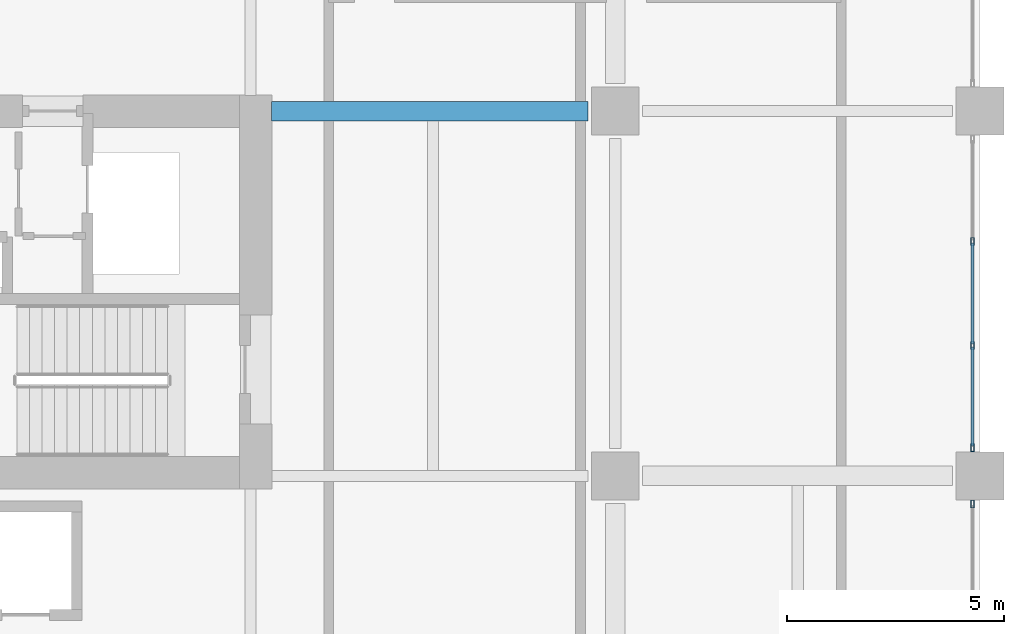
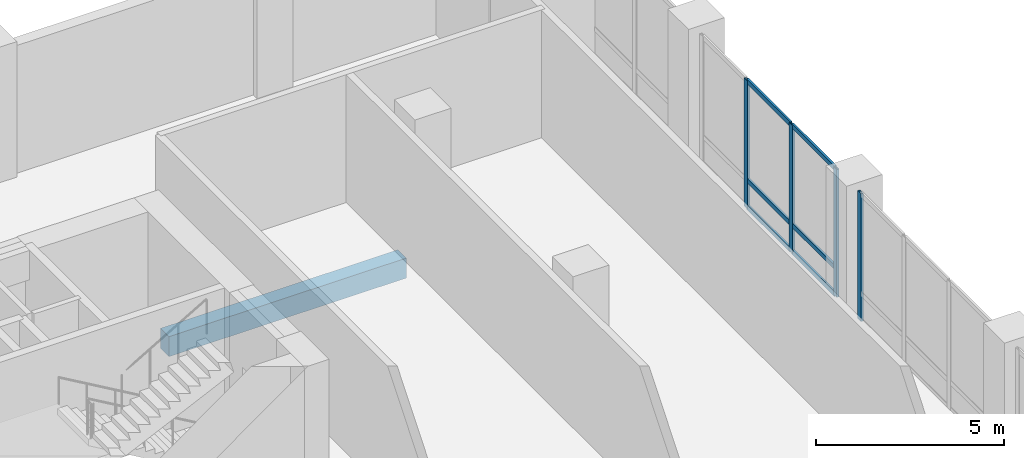
# One storey, part 6 of 22: 10 members, 1 beam, 2 elements without a shape of their own.
"""IFC4 building model written with IfcOpenShell, lengths in metres."""

from ifc_helpers import new_model, si_unit, direction, frame, origin, origin_2d, place, context, subcontext, project, spatial, rectangle, hollow_rectangle, extrude, material, layer, layer_set, material_profile, profile_set, type_object, element, aggregate, save


model = new_model("IFC4")

# Units and contexts
model_context = context("Model", 3, precision=1e-05, world=origin(), true_north=direction((0.0, 1.0)))
body_context = subcontext(model_context, "Body", "Model", "MODEL_VIEW")
ifc_project = project(units=[si_unit("LENGTHUNIT", "METRE"), si_unit("AREAUNIT", "SQUARE_METRE"), si_unit("VOLUMEUNIT", "CUBIC_METRE"), si_unit("PLANEANGLEUNIT", "RADIAN"), si_unit("MASSUNIT", "GRAM", prefix="KILO")], contexts=[model_context])

# Site, building, storey
site_placement = place(None, origin())
site = spatial("IfcSite", under=ifc_project, at=site_placement, CompositionType="ELEMENT")
building_placement = place(site_placement, origin())
building = spatial("IfcBuilding", under=site, at=building_placement, Name="Koriwani Terraces Tower", CompositionType="ELEMENT")
storey_placement = place(building_placement, frame((0.0, 0.0, 153.199951171875)))
storey = spatial("IfcBuildingStorey", under=building, at=storey_placement, Name="L37", CompositionType="ELEMENT", Elevation=153.199951171875)

# Beam
ifc_material_1 = material(Name="Concrete C50/60", Category="concrete")
ifc_material_profile_1 = material_profile(ifc_material_1, rectangle(XDim=0.449951171875, YDim=0.64990234375, at=origin_2d()), Name="Concrete C50/60", Category="LoadBearing")
ifc_profile_set_1 = profile_set([ifc_material_profile_1], Name="Concrete C50/60")
beam_type = type_object("IfcBeamType", Name="BEAM_RC_GRID_450X650", PredefinedType="BEAM", material=ifc_profile_set_1)
beam_placement = place(storey_placement, frame((59.280029296875, 25.199951171875, -0.574951171875), z_axis=(1.0, 0.0, 0.0), x_axis=(0.0, 1.0, 0.0)))
element("IfcBeam", 1, at=beam_placement, inside=storey, type_object=beam_type, Name="L37 Grid Beam D (58.8-67.2m)", PredefinedType="BEAM", context=body_context, shape_type="SweptSolid", body=[
    extrude(rectangle(XDim=0.449951171875, YDim=0.64990234375, at=origin_2d()), origin(), (0.0, 0.0, 1.0), 7.2900390625),
])

# Curtain wall, members
ifc_material_2 = material(Name="Anodised Bronze Aluminium", Category="aluminium")
ifc_layer = layer(ifc_material_2, 0.169921875, Name="Anodised Bronze Aluminium")
ifc_layer_set = layer_set([ifc_layer], Name="Anodised Bronze Aluminium")
curtain_wall_type = type_object("IfcCurtainWallType", Name="CW_RES_ZONE3", PredefinedType="NOTDEFINED", material=ifc_layer_set)
curtain_wall_1_placement = place(storey_placement, origin())
curtain_wall_1 = element("IfcCurtainWall", 2, at=curtain_wall_1_placement, inside=storey, type_object=curtain_wall_type, Name="L37 Unitised Curtain Wall (E_TIP) Bay 2", PredefinedType="NOTDEFINED")
ifc_material_profile_2 = material_profile(ifc_material_2, hollow_rectangle(XDim=0.074951171875, YDim=0.179931640625, WallThickness=0.006103515625, at=origin_2d()), Name="Anodised Bronze Aluminium", Category="LoadBearing")
ifc_profile_set_2 = profile_set([ifc_material_profile_2], Name="Anodised Bronze Aluminium")
member_type_1 = type_object("IfcMemberType", Name="CW_MULLION_180X75", PredefinedType="MULLION", material=ifc_profile_set_2)
member_1_placement = place(storey_placement, frame((75.425048828125, 22.19677734375, 0.0), z_axis=(0.0, 0.0, 1.0), x_axis=(1.0, 0.0, 0.0)))
member_1 = element("IfcMember", 3, at=member_1_placement, type_object=member_type_1, Name="CW-Z3 mullion 2", PredefinedType="MULLION", context=body_context, shape_type="SweptSolid", body=[
    extrude(hollow_rectangle(XDim=0.074951171875, YDim=0.179931640625, WallThickness=0.006103515625, at=origin_2d()), origin(), (0.0, 0.0, 1.0), 4.150146484375),
])
member_2_placement = place(storey_placement, frame((75.425048828125, 19.80322265625, 0.0), z_axis=(0.0, 0.0, 1.0), x_axis=(1.0, 0.0, 0.0)))
member_2 = element("IfcMember", 4, at=member_2_placement, type_object=member_type_1, Name="CW-Z3 mullion 3", PredefinedType="MULLION", context=body_context, shape_type="SweptSolid", body=[
    extrude(hollow_rectangle(XDim=0.074951171875, YDim=0.179931640625, WallThickness=0.006103515625, at=origin_2d()), origin(), (0.0, 0.0, 1.0), 4.150146484375),
])
member_3_placement = place(storey_placement, frame((75.425048828125, 17.447509765625, 0.0), z_axis=(0.0, 0.0, 1.0), x_axis=(1.0, 0.0, 0.0)))
member_3 = element("IfcMember", 5, at=member_3_placement, type_object=member_type_1, Name="CW-Z3 mullion 4", PredefinedType="MULLION", context=body_context, shape_type="SweptSolid", body=[
    extrude(hollow_rectangle(XDim=0.074951171875, YDim=0.179931640625, WallThickness=0.006103515625, at=origin_2d()), origin(), (0.0, 0.0, 1.0), 4.150146484375),
])

# Curtain wall, member
curtain_wall_2_placement = place(storey_placement, origin())
curtain_wall_2 = element("IfcCurtainWall", 6, at=curtain_wall_2_placement, inside=storey, type_object=curtain_wall_type, Name="L37 Unitised Curtain Wall (E_TIP) Bay 3", PredefinedType="NOTDEFINED")
member_4_placement = place(storey_placement, frame((75.425048828125, 16.152587890625, 0.0), z_axis=(0.0, 0.0, 1.0), x_axis=(1.0, 0.0, 0.0)))
member_4 = element("IfcMember", 7, at=member_4_placement, type_object=member_type_1, Name="CW-Z3 mullion 1", PredefinedType="MULLION", context=body_context, shape_type="SweptSolid", body=[
    extrude(hollow_rectangle(XDim=0.074951171875, YDim=0.179931640625, WallThickness=0.006103515625, at=origin_2d()), origin(), (0.0, 0.0, 1.0), 4.150146484375),
])
aggregate(curtain_wall_2, [member_4])

# Member
ifc_material_profile_3 = material_profile(ifc_material_2, hollow_rectangle(XDim=0.06494140625, YDim=0.14990234375, WallThickness=0.0048828125, at=origin_2d()), Name="Anodised Bronze Aluminium", Category="LoadBearing")
ifc_profile_set_3 = profile_set([ifc_material_profile_3], Name="Anodised Bronze Aluminium")
member_type_2 = type_object("IfcMemberType", Name="CW_TRANSOM_150X65", PredefinedType="USERDEFINED", material=ifc_profile_set_3)
member_5_placement = place(storey_placement, frame((75.425048828125, 22.1591796875, 0.032470703125), z_axis=(0.0, -1.0, 0.0), x_axis=(1.0, 0.0, 0.0)))
member_5 = element("IfcMember", 8, at=member_5_placement, type_object=member_type_2, Name="CW-Z3 transom 2.1", ObjectType="TRANSOM", PredefinedType="USERDEFINED", context=body_context, shape_type="SweptSolid", body=[
    extrude(hollow_rectangle(XDim=0.06494140625, YDim=0.14990234375, WallThickness=0.0048828125, at=origin_2d()), origin(), (0.0, 0.0, 1.0), 2.318359375),
])

member_6_placement = place(storey_placement, frame((75.425048828125, 22.1591796875, 0.900146484375), z_axis=(0.0, -1.0, 0.0), x_axis=(1.0, 0.0, 0.0)))
member_6 = element("IfcMember", 9, at=member_6_placement, type_object=member_type_2, Name="CW-Z3 transom 2.2", ObjectType="TRANSOM", PredefinedType="USERDEFINED", context=body_context, shape_type="SweptSolid", body=[
    extrude(hollow_rectangle(XDim=0.06494140625, YDim=0.14990234375, WallThickness=0.0048828125, at=origin_2d()), origin(), (0.0, 0.0, 1.0), 2.318359375),
])

member_7_placement = place(storey_placement, frame((75.425048828125, 22.1591796875, 4.117431640625), z_axis=(0.0, -1.0, 0.0), x_axis=(1.0, 0.0, 0.0)))
member_7 = element("IfcMember", 10, at=member_7_placement, type_object=member_type_2, Name="CW-Z3 transom 2.3", ObjectType="TRANSOM", PredefinedType="USERDEFINED", context=body_context, shape_type="SweptSolid", body=[
    extrude(hollow_rectangle(XDim=0.06494140625, YDim=0.14990234375, WallThickness=0.0048828125, at=origin_2d()), origin(), (0.0, 0.0, 1.0), 2.318359375),
])

member_8_placement = place(storey_placement, frame((75.425048828125, 19.765869140625, 0.032470703125), z_axis=(0.0, -1.0, 0.0), x_axis=(1.0, 0.0, 0.0)))
member_8 = element("IfcMember", 11, at=member_8_placement, type_object=member_type_2, Name="CW-Z3 transom 3.1", ObjectType="TRANSOM", PredefinedType="USERDEFINED", context=body_context, shape_type="SweptSolid", body=[
    extrude(hollow_rectangle(XDim=0.06494140625, YDim=0.14990234375, WallThickness=0.0048828125, at=origin_2d()), origin(), (0.0, 0.0, 1.0), 2.28076171875),
])

member_9_placement = place(storey_placement, frame((75.425048828125, 19.765869140625, 0.900146484375), z_axis=(0.0, -1.0, 0.0), x_axis=(1.0, 0.0, 0.0)))
member_9 = element("IfcMember", 12, at=member_9_placement, type_object=member_type_2, Name="CW-Z3 transom 3.2", ObjectType="TRANSOM", PredefinedType="USERDEFINED", context=body_context, shape_type="SweptSolid", body=[
    extrude(hollow_rectangle(XDim=0.06494140625, YDim=0.14990234375, WallThickness=0.0048828125, at=origin_2d()), origin(), (0.0, 0.0, 1.0), 2.28076171875),
])

member_10_placement = place(storey_placement, frame((75.425048828125, 19.765869140625, 4.117431640625), z_axis=(0.0, -1.0, 0.0), x_axis=(1.0, 0.0, 0.0)))
member_10 = element("IfcMember", 13, at=member_10_placement, type_object=member_type_2, Name="CW-Z3 transom 3.3", ObjectType="TRANSOM", PredefinedType="USERDEFINED", context=body_context, shape_type="SweptSolid", body=[
    extrude(hollow_rectangle(XDim=0.06494140625, YDim=0.14990234375, WallThickness=0.0048828125, at=origin_2d()), origin(), (0.0, 0.0, 1.0), 2.28076171875),
])

aggregate(curtain_wall_1, [member_1, member_2, member_3, member_5, member_6, member_7, member_8, member_9, member_10])

save(model, "model.ifc")
